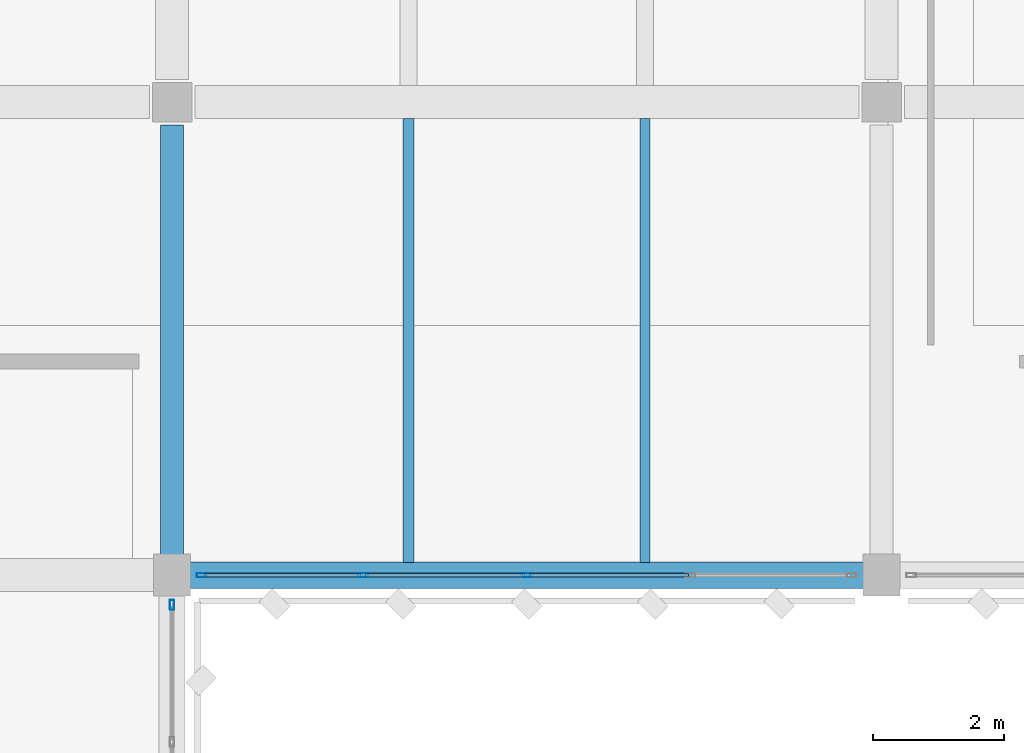
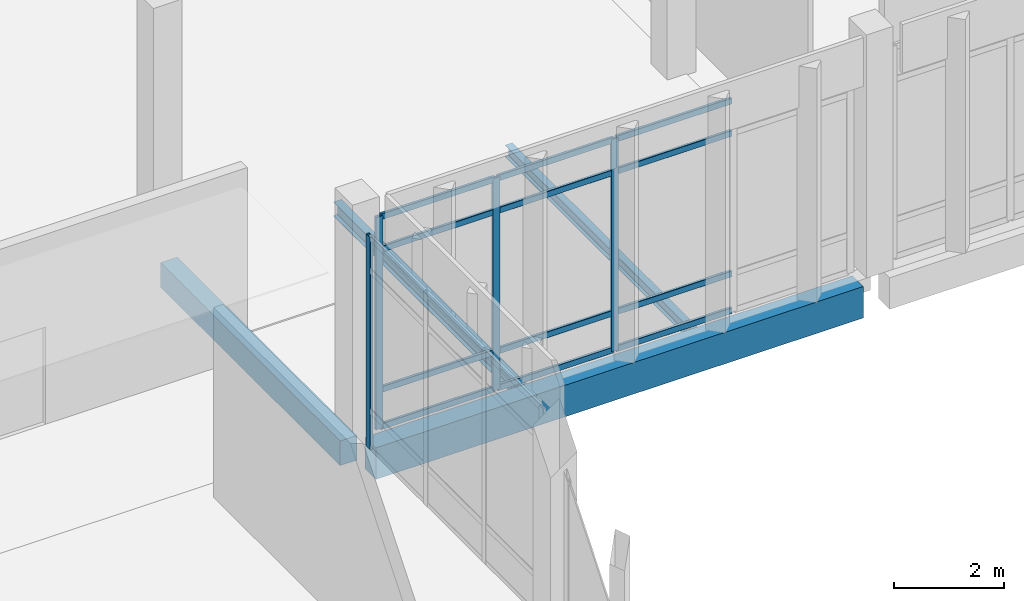
# One storey, part 68 of 180: 16 members, 4 beams, 2 elements without a shape of their own.
"""IFC4 building model written with IfcOpenShell, lengths in metres."""

import ifcopenshell
import ifcopenshell.guid

model = None  # the IFC model being written
_history = None  # IfcOwnerHistory: only IFC2X3 demands one
_inside = {}  # id of a spatial element -> (the spatial element, [elements in it])
_under = {}  # id of a project, library or spatial element -> (it, [spatial elements below it])
_declared = {}  # id of a project -> (the project, [libraries it declares])
_typed = {}  # id of a type object -> (the type object, [elements of that type])
_made_of = {}  # id of a material, layer set ... -> (it, [elements and type objects made of it])


def new_model(schema):
    """Start an empty IFC model of exactly this schema.

    Asked for "IFC4X3", IfcOpenShell would pick the latest addendum, in which some entities
    have other attributes; the version numbers below select the first issue.
    IFC2X3 requires an IfcOwnerHistory on every rooted entity: one is made here for all.
    """
    global model, _history
    if schema == "IFC4X3":
        model = ifcopenshell.file(schema_version=(4, 3, 0, 0))
    else:
        model = ifcopenshell.file(schema=schema)
    _inside.clear()
    _under.clear()
    _declared.clear()
    _typed.clear()
    _made_of.clear()
    _history = None
    if model.schema == "IFC2X3":
        org = make("IfcOrganization", Name="unknown")
        user = make(
            "IfcPersonAndOrganization",
            ThePerson=make("IfcPerson", FamilyName="unknown"),
            TheOrganization=org,
        )
        app = make(
            "IfcApplication",
            ApplicationDeveloper=org,
            Version="unknown",
            ApplicationFullName="unknown",
            ApplicationIdentifier="unknown",
        )
        _history = make(
            "IfcOwnerHistory",
            OwningUser=user,
            OwningApplication=app,
            ChangeAction="ADDED",
            CreationDate=0,
        )
    return model


def make(cls, **values):
    """One entity of the class cls with the attributes given. An attribute that is None is left unset."""
    return model.create_entity(
        cls, **{name: value for name, value in values.items() if value is not None}
    )


def rooted(cls, **values):
    """An entity with a GlobalId (a new one), such as an element, a storey or a relation."""
    return make(cls, GlobalId=ifcopenshell.guid.new(), OwnerHistory=_history, **values)


def si_unit(unit_type, name, prefix=None):
    """IfcSIUnit, for example si_unit("LENGTHUNIT", "METRE", prefix="MILLI")."""
    return make("IfcSIUnit", UnitType=unit_type, Prefix=prefix, Name=name)


def assignment(units):
    """IfcUnitAssignment: the units of a project."""
    return None if units is None else make("IfcUnitAssignment", Units=units)


def point(xyz):
    """IfcCartesianPoint."""
    return None if xyz is None else make("IfcCartesianPoint", Coordinates=xyz)


def direction(xyz):
    """IfcDirection."""
    return None if xyz is None else make("IfcDirection", DirectionRatios=xyz)


def frame(location, z_axis=None, x_axis=None):
    """IfcAxis2Placement3D, a coordinate frame: its origin and axes. An axis left out is left unset."""
    return make(
        "IfcAxis2Placement3D",
        Location=point(location),
        Axis=direction(z_axis),
        RefDirection=direction(x_axis),
    )


def frame_2d(location, x_axis=None):
    """IfcAxis2Placement2D, a coordinate frame in the plane: its origin and x axis."""
    return make(
        "IfcAxis2Placement2D", Location=point(location), RefDirection=direction(x_axis)
    )


def origin():
    """The frame at (0, 0, 0) with its axes left unset."""
    return frame((0.0, 0.0, 0.0))


def origin_2d():
    """The frame at (0, 0) in the plane with its x axis left unset."""
    return frame_2d((0.0, 0.0))


def place(relative_to, where):
    """IfcLocalPlacement: puts the frame where relative to a parent placement (None: the world)."""
    return make(
        "IfcLocalPlacement", PlacementRelTo=relative_to, RelativePlacement=where
    )


def context(
    kind, dimensions, precision=None, world=None, true_north=None, identifier=None
):
    """IfcGeometricRepresentationContext, for example the 3D "Model" context."""
    return make(
        "IfcGeometricRepresentationContext",
        ContextIdentifier=identifier,
        ContextType=kind,
        CoordinateSpaceDimension=dimensions,
        Precision=precision,
        WorldCoordinateSystem=world,
        TrueNorth=true_north,
    )


def subcontext(parent, identifier, kind, view, scale=None):
    """IfcGeometricRepresentationSubContext, for example "Body" below "Model"."""
    return make(
        "IfcGeometricRepresentationSubContext",
        ContextIdentifier=identifier,
        ContextType=kind,
        ParentContext=parent,
        TargetScale=scale,
        TargetView=view,
    )


def project(units=None, contexts=None):
    """IfcProject with its units and contexts."""
    return rooted(
        "IfcProject",
        Name="project",
        RepresentationContexts=contexts,
        UnitsInContext=assignment(units),
    )


def spatial(cls, under=None, at=None, **own):
    """A site, building, storey or space (cls), placed at a placement, below another one or the project."""
    s = rooted(cls, ObjectPlacement=at, **own)
    if under is not None:
        _under.setdefault(under.id(), (under, []))[1].append(s)
    return s


def profile(cls, at=None, kind="AREA", **sizes):
    """A parametric profile (cls). Its sizes go by their IFC names, for example OverallWidth=200.0."""
    return make(cls, ProfileType=kind, Position=at, **sizes)


def rectangle(**sizes):
    """IfcRectangleProfileDef."""
    return profile("IfcRectangleProfileDef", **sizes)


def hollow_rectangle(**sizes):
    """IfcRectangleHollowProfileDef."""
    return profile("IfcRectangleHollowProfileDef", **sizes)


def i_section(**sizes):
    """IfcIShapeProfileDef."""
    return profile("IfcIShapeProfileDef", **sizes)


def extrude(swept, where, along, depth):
    """IfcExtrudedAreaSolid: the profile swept, set in the frame where, extruded along a direction by depth."""
    return make(
        "IfcExtrudedAreaSolid",
        SweptArea=swept,
        Position=where,
        ExtrudedDirection=direction(along),
        Depth=depth,
    )


def shape(context_of_items, identifier, shape_type, items):
    """IfcShapeRepresentation: the items that make up one representation, for example the "Body"."""
    return make(
        "IfcShapeRepresentation",
        ContextOfItems=context_of_items,
        RepresentationIdentifier=identifier,
        RepresentationType=shape_type,
        Items=items,
    )


def material(Name=None, Category=None):
    """IfcMaterial."""
    return make("IfcMaterial", Name=Name, Category=Category)


def material_profile(
    of_material, cross_section, Name=None, Category=None, Priority=None
):
    """IfcMaterialProfile: a cross section and its material."""
    return make(
        "IfcMaterialProfile",
        Name=Name,
        Material=of_material,
        Profile=cross_section,
        Priority=Priority,
        Category=Category,
    )


def profile_set(profiles, Name=None, composite=None):
    """IfcMaterialProfileSet."""
    return make(
        "IfcMaterialProfileSet",
        Name=Name,
        MaterialProfiles=profiles,
        CompositeProfile=composite,
    )


def made_of(thing, what):
    """Note that an element or type object is made of a material, layer set ...; save() writes the relation."""
    if what is not None:
        _made_of.setdefault(what.id(), (what, []))[1].append(thing)
    return thing


def type_object(cls, material=None, **own):
    """A type object (cls), such as IfcWallType, which elements share."""
    return made_of(rooted(cls, **own), material)


def element(
    cls,
    number,
    at=None,
    inside=None,
    cuts=None,
    type_object=None,
    material=None,
    context=None,
    identifier="Body",
    shape_type=None,
    held_by="IfcProductDefinitionShape",
    body=None,
    shapes=None,
    **own,
):
    """One element of the class cls, such as IfcWall. Its Tag is "e" and its number.

    at: its placement. inside: the storey or other place that contains it. cuts: it is an
    opening in that element (IfcRelVoidsElement). A single representation is given by context,
    identifier, shape_type and body (its items); several are given by shapes. held_by: the class
    of the entity that holds the representations. save() writes the other relations.
    """
    e = rooted(cls, Tag="e%d" % number, ObjectPlacement=at, **own)
    if body is not None:
        shapes = [shape(context, identifier, shape_type, body)]
    if shapes is not None:
        e.Representation = make(held_by, Representations=shapes)
    if inside is not None:
        _inside.setdefault(inside.id(), (inside, []))[1].append(e)
    if cuts is not None:
        rooted(
            "IfcRelVoidsElement", RelatingBuildingElement=cuts, RelatedOpeningElement=e
        )
    if type_object is not None:
        _typed.setdefault(type_object.id(), (type_object, []))[1].append(e)
    return made_of(e, material)


def aggregate(whole, parts):
    """IfcRelAggregates: a whole, such as a stair, and the parts it consists of."""
    return rooted("IfcRelAggregates", RelatingObject=whole, RelatedObjects=parts)


def save(model, path):
    """Write the relations noted so far, then the file.

    IfcRelAggregates (storeys below a building ...), IfcRelContainedInSpatialStructure (elements
    in a storey), IfcRelDefinesByType, IfcRelAssociatesMaterial and IfcRelDeclares: one each for
    every whole, place, type object, material and project.
    """
    for whole, parts in _under.values():
        aggregate(whole, parts)
    for where, things in _inside.values():
        rooted(
            "IfcRelContainedInSpatialStructure",
            RelatedElements=things,
            RelatingStructure=where,
        )
    for kind, things in _typed.values():
        rooted("IfcRelDefinesByType", RelatedObjects=things, RelatingType=kind)
    for what, things in _made_of.values():
        rooted("IfcRelAssociatesMaterial", RelatedObjects=things, RelatingMaterial=what)
    for by, libraries in _declared.values():
        rooted("IfcRelDeclares", RelatingContext=by, RelatedDefinitions=libraries)
    model.write(path)


model = new_model("IFC4")

# Units and contexts
model_context = context("Model", 3, precision=1e-05, world=origin(), true_north=direction((0.0, 1.0)))
body_context = subcontext(model_context, "Body", "Model", "MODEL_VIEW")
ifc_project = project(units=[si_unit("LENGTHUNIT", "METRE"), si_unit("AREAUNIT", "SQUARE_METRE"), si_unit("VOLUMEUNIT", "CUBIC_METRE"), si_unit("PLANEANGLEUNIT", "RADIAN"), si_unit("MASSUNIT", "GRAM", prefix="KILO")], contexts=[model_context])

# Site, building, storey
site_placement = place(None, origin())
site = spatial("IfcSite", under=ifc_project, at=site_placement, CompositionType="ELEMENT")
building_placement = place(site_placement, origin())
building = spatial("IfcBuilding", under=site, at=building_placement, Name="Lusvemor Sports Hall", CompositionType="ELEMENT")
storey_placement = place(building_placement, frame((0.0, 0.0, 5.39990234375)))
storey = spatial("IfcBuildingStorey", under=building, at=storey_placement, Name="L01", CompositionType="ELEMENT", Elevation=5.39990234375)

# Beam
ifc_material_1 = material(Name="Concrete C40/50", Category="concrete")
ifc_material_profile_1 = material_profile(ifc_material_1, rectangle(XDim=0.35009765625, YDim=0.550048828125, at=origin_2d()), Name="RC350x550")
ifc_profile_set_1 = profile_set([ifc_material_profile_1], Name="Concrete C40/50")
beam_type_1 = type_object("IfcBeamType", Name="BEAM_RC_550", PredefinedType="BEAM", material=ifc_profile_set_1)
beam_1_placement = place(storey_placement, frame((21.60009765625, 97.51611328125, -0.534912109375), z_axis=(0.0, 1.0, 0.0), x_axis=(-1.0, 0.0, 0.0)))
element("IfcBeam", 1, at=beam_1_placement, inside=storey, type_object=beam_type_1, Name="Beam L01 3:N-P", PredefinedType="BEAM", context=body_context, shape_type="SweptSolid", body=[
    extrude(rectangle(XDim=0.35009765625, YDim=0.550048828125, at=origin_2d()), origin(), (0.0, 0.0, 1.0), 6.537841796875),
])

# Curtain wall, members
ifc_material_2 = material(Name="Thermally broken bronze-anodized aluminium", Category="aluminium")
curtain_wall_type = type_object("IfcCurtainWallType", Name="CW_WING_B", PredefinedType="NOTDEFINED", material=ifc_material_2)
curtain_wall_1_placement = place(storey_placement, origin())
curtain_wall_1 = element("IfcCurtainWall", 2, at=curtain_wall_1_placement, inside=storey, type_object=curtain_wall_type, Name="Curtain Wall CW-L01-S-3-0", PredefinedType="NOTDEFINED")
ifc_material_3 = material(Name="Thermally broken bronze-anodized aluminium", Category="aluminium")
ifc_material_profile_2 = material_profile(ifc_material_3, hollow_rectangle(XDim=0.06494140625, YDim=0.14990234375, WallThickness=0.00390625, InnerFilletRadius=0.00390625, OuterFilletRadius=0.008056640625, at=origin_2d()), Name="CWMUL150x65x4")
ifc_profile_set_2 = profile_set([ifc_material_profile_2], Name="Thermally broken bronze-anodized aluminium")
member_type_1 = type_object("IfcMemberType", Name="CW_MUL_B", PredefinedType="MULLION", material=ifc_profile_set_2)
member_1_placement = place(storey_placement, frame((27.0, 97.199951171875, 0.0), z_axis=(0.0, 0.0, 1.0), x_axis=(0.0, -1.0, 0.0)))
member_1 = element("IfcMember", 3, at=member_1_placement, type_object=member_type_1, Name="CW02 mullion 3", PredefinedType="MULLION", context=body_context, shape_type="SweptSolid", body=[
    extrude(hollow_rectangle(XDim=0.06494140625, YDim=0.14990234375, WallThickness=0.00390625, InnerFilletRadius=0.00390625, OuterFilletRadius=0.008056640625, at=origin_2d()), origin(), (0.0, 0.0, 1.0), 4.72021484375),
])
member_2_placement = place(storey_placement, frame((24.510009765625, 97.199951171875, 0.0), z_axis=(0.0, 0.0, 1.0), x_axis=(0.0, -1.0, 0.0)))
member_2 = element("IfcMember", 4, at=member_2_placement, type_object=member_type_1, Name="CW02 mullion 4", PredefinedType="MULLION", context=body_context, shape_type="SweptSolid", body=[
    extrude(hollow_rectangle(XDim=0.06494140625, YDim=0.14990234375, WallThickness=0.00390625, InnerFilletRadius=0.00390625, OuterFilletRadius=0.008056640625, at=origin_2d()), origin(), (0.0, 0.0, 1.0), 4.72021484375),
])
member_3_placement = place(storey_placement, frame((22.052490234375, 97.199951171875, 0.0), z_axis=(0.0, 0.0, 1.0), x_axis=(0.0, -1.0, 0.0)))
member_3 = element("IfcMember", 5, at=member_3_placement, type_object=member_type_1, Name="CW02 mullion 5", PredefinedType="MULLION", context=body_context, shape_type="SweptSolid", body=[
    extrude(hollow_rectangle(XDim=0.06494140625, YDim=0.14990234375, WallThickness=0.00390625, InnerFilletRadius=0.00390625, OuterFilletRadius=0.008056640625, at=origin_2d()), origin(), (0.0, 0.0, 1.0), 4.72021484375),
])

# Curtain wall, member
curtain_wall_2_placement = place(storey_placement, origin())
curtain_wall_2 = element("IfcCurtainWall", 6, at=curtain_wall_2_placement, inside=storey, type_object=curtain_wall_type, Name="Curtain Wall CW-L01-E-4-6", PredefinedType="NOTDEFINED")
member_4_placement = place(storey_placement, frame((21.60009765625, 96.74755859375, 0.0), z_axis=(0.0, 0.0, 1.0), x_axis=(1.0, 0.0, 0.0)))
member_4 = element("IfcMember", 7, at=member_4_placement, type_object=member_type_1, Name="CW02 mullion 1", PredefinedType="MULLION", context=body_context, shape_type="SweptSolid", body=[
    extrude(hollow_rectangle(XDim=0.06494140625, YDim=0.14990234375, WallThickness=0.00390625, InnerFilletRadius=0.00390625, OuterFilletRadius=0.008056640625, at=origin_2d()), origin(), (0.0, 0.0, 1.0), 4.72021484375),
])
aggregate(curtain_wall_2, [member_4])

# Member
ifc_material_4 = material(Name="Thermally broken bronze-anodized aluminium", Category="aluminium")
ifc_material_profile_3 = material_profile(ifc_material_4, hollow_rectangle(XDim=0.06005859375, YDim=0.135009765625, WallThickness=0.00390625, InnerFilletRadius=0.00390625, OuterFilletRadius=0.008056640625, at=origin_2d()), Name="CWTRN135x60x4")
ifc_profile_set_3 = profile_set([ifc_material_profile_3], Name="Thermally broken bronze-anodized aluminium")
member_type_2 = type_object("IfcMemberType", Name="CW_TRN_B", PredefinedType="USERDEFINED", material=ifc_profile_set_3)
member_5_placement = place(storey_placement, frame((29.45751953125, 97.199951171875, 0.030029296875), z_axis=(-1.0, 0.0, 0.0), x_axis=(0.0, -1.0, 0.0)))
member_5 = element("IfcMember", 8, at=member_5_placement, type_object=member_type_2, Name="CW02 transom 2.1", ObjectType="TRANSOM", PredefinedType="USERDEFINED", context=body_context, shape_type="SweptSolid", body=[
    extrude(hollow_rectangle(XDim=0.06005859375, YDim=0.135009765625, WallThickness=0.00390625, InnerFilletRadius=0.00390625, OuterFilletRadius=0.008056640625, at=origin_2d()), origin(), (0.0, 0.0, 1.0), 2.425048828125),
])

member_6_placement = place(storey_placement, frame((29.45751953125, 97.199951171875, 0.85009765625), z_axis=(-1.0, 0.0, 0.0), x_axis=(0.0, -1.0, 0.0)))
member_6 = element("IfcMember", 9, at=member_6_placement, type_object=member_type_2, Name="CW02 transom 2.2", ObjectType="TRANSOM", PredefinedType="USERDEFINED", context=body_context, shape_type="SweptSolid", body=[
    extrude(hollow_rectangle(XDim=0.06005859375, YDim=0.135009765625, WallThickness=0.00390625, InnerFilletRadius=0.00390625, OuterFilletRadius=0.008056640625, at=origin_2d()), origin(), (0.0, 0.0, 1.0), 2.425048828125),
])

member_7_placement = place(storey_placement, frame((29.45751953125, 97.199951171875, 3.97021484375), z_axis=(-1.0, 0.0, 0.0), x_axis=(0.0, -1.0, 0.0)))
member_7 = element("IfcMember", 10, at=member_7_placement, type_object=member_type_2, Name="CW02 transom 2.3", ObjectType="TRANSOM", PredefinedType="USERDEFINED", context=body_context, shape_type="SweptSolid", body=[
    extrude(hollow_rectangle(XDim=0.06005859375, YDim=0.135009765625, WallThickness=0.00390625, InnerFilletRadius=0.00390625, OuterFilletRadius=0.008056640625, at=origin_2d()), origin(), (0.0, 0.0, 1.0), 2.425048828125),
])

member_8_placement = place(storey_placement, frame((29.45751953125, 97.199951171875, 4.690185546875), z_axis=(-1.0, 0.0, 0.0), x_axis=(0.0, -1.0, 0.0)))
member_8 = element("IfcMember", 11, at=member_8_placement, type_object=member_type_2, Name="CW02 transom 2.4", ObjectType="TRANSOM", PredefinedType="USERDEFINED", context=body_context, shape_type="SweptSolid", body=[
    extrude(hollow_rectangle(XDim=0.06005859375, YDim=0.135009765625, WallThickness=0.00390625, InnerFilletRadius=0.00390625, OuterFilletRadius=0.008056640625, at=origin_2d()), origin(), (0.0, 0.0, 1.0), 2.425048828125),
])

member_9_placement = place(storey_placement, frame((26.967529296875, 97.199951171875, 0.030029296875), z_axis=(-1.0, 0.0, 0.0), x_axis=(0.0, -1.0, 0.0)))
member_9 = element("IfcMember", 12, at=member_9_placement, type_object=member_type_2, Name="CW02 transom 3.1", ObjectType="TRANSOM", PredefinedType="USERDEFINED", context=body_context, shape_type="SweptSolid", body=[
    extrude(hollow_rectangle(XDim=0.06005859375, YDim=0.135009765625, WallThickness=0.00390625, InnerFilletRadius=0.00390625, OuterFilletRadius=0.008056640625, at=origin_2d()), origin(), (0.0, 0.0, 1.0), 2.425048828125),
])

member_10_placement = place(storey_placement, frame((26.967529296875, 97.199951171875, 0.85009765625), z_axis=(-1.0, 0.0, 0.0), x_axis=(0.0, -1.0, 0.0)))
member_10 = element("IfcMember", 13, at=member_10_placement, type_object=member_type_2, Name="CW02 transom 3.2", ObjectType="TRANSOM", PredefinedType="USERDEFINED", context=body_context, shape_type="SweptSolid", body=[
    extrude(hollow_rectangle(XDim=0.06005859375, YDim=0.135009765625, WallThickness=0.00390625, InnerFilletRadius=0.00390625, OuterFilletRadius=0.008056640625, at=origin_2d()), origin(), (0.0, 0.0, 1.0), 2.425048828125),
])

member_11_placement = place(storey_placement, frame((26.967529296875, 97.199951171875, 3.97021484375), z_axis=(-1.0, 0.0, 0.0), x_axis=(0.0, -1.0, 0.0)))
member_11 = element("IfcMember", 14, at=member_11_placement, type_object=member_type_2, Name="CW02 transom 3.3", ObjectType="TRANSOM", PredefinedType="USERDEFINED", context=body_context, shape_type="SweptSolid", body=[
    extrude(hollow_rectangle(XDim=0.06005859375, YDim=0.135009765625, WallThickness=0.00390625, InnerFilletRadius=0.00390625, OuterFilletRadius=0.008056640625, at=origin_2d()), origin(), (0.0, 0.0, 1.0), 2.425048828125),
])

member_12_placement = place(storey_placement, frame((26.967529296875, 97.199951171875, 4.690185546875), z_axis=(-1.0, 0.0, 0.0), x_axis=(0.0, -1.0, 0.0)))
member_12 = element("IfcMember", 15, at=member_12_placement, type_object=member_type_2, Name="CW02 transom 3.4", ObjectType="TRANSOM", PredefinedType="USERDEFINED", context=body_context, shape_type="SweptSolid", body=[
    extrude(hollow_rectangle(XDim=0.06005859375, YDim=0.135009765625, WallThickness=0.00390625, InnerFilletRadius=0.00390625, OuterFilletRadius=0.008056640625, at=origin_2d()), origin(), (0.0, 0.0, 1.0), 2.425048828125),
])

member_13_placement = place(storey_placement, frame((24.4775390625, 97.199951171875, 0.030029296875), z_axis=(-1.0, 0.0, 0.0), x_axis=(0.0, -1.0, 0.0)))
member_13 = element("IfcMember", 16, at=member_13_placement, type_object=member_type_2, Name="CW02 transom 4.1", ObjectType="TRANSOM", PredefinedType="USERDEFINED", context=body_context, shape_type="SweptSolid", body=[
    extrude(hollow_rectangle(XDim=0.06005859375, YDim=0.135009765625, WallThickness=0.00390625, InnerFilletRadius=0.00390625, OuterFilletRadius=0.008056640625, at=origin_2d()), origin(), (0.0, 0.0, 1.0), 2.392578125),
])

member_14_placement = place(storey_placement, frame((24.4775390625, 97.199951171875, 0.85009765625), z_axis=(-1.0, 0.0, 0.0), x_axis=(0.0, -1.0, 0.0)))
member_14 = element("IfcMember", 17, at=member_14_placement, type_object=member_type_2, Name="CW02 transom 4.2", ObjectType="TRANSOM", PredefinedType="USERDEFINED", context=body_context, shape_type="SweptSolid", body=[
    extrude(hollow_rectangle(XDim=0.06005859375, YDim=0.135009765625, WallThickness=0.00390625, InnerFilletRadius=0.00390625, OuterFilletRadius=0.008056640625, at=origin_2d()), origin(), (0.0, 0.0, 1.0), 2.392578125),
])

member_15_placement = place(storey_placement, frame((24.4775390625, 97.199951171875, 3.97021484375), z_axis=(-1.0, 0.0, 0.0), x_axis=(0.0, -1.0, 0.0)))
member_15 = element("IfcMember", 18, at=member_15_placement, type_object=member_type_2, Name="CW02 transom 4.3", ObjectType="TRANSOM", PredefinedType="USERDEFINED", context=body_context, shape_type="SweptSolid", body=[
    extrude(hollow_rectangle(XDim=0.06005859375, YDim=0.135009765625, WallThickness=0.00390625, InnerFilletRadius=0.00390625, OuterFilletRadius=0.008056640625, at=origin_2d()), origin(), (0.0, 0.0, 1.0), 2.392578125),
])

member_16_placement = place(storey_placement, frame((24.4775390625, 97.199951171875, 4.690185546875), z_axis=(-1.0, 0.0, 0.0), x_axis=(0.0, -1.0, 0.0)))
member_16 = element("IfcMember", 19, at=member_16_placement, type_object=member_type_2, Name="CW02 transom 4.4", ObjectType="TRANSOM", PredefinedType="USERDEFINED", context=body_context, shape_type="SweptSolid", body=[
    extrude(hollow_rectangle(XDim=0.06005859375, YDim=0.135009765625, WallThickness=0.00390625, InnerFilletRadius=0.00390625, OuterFilletRadius=0.008056640625, at=origin_2d()), origin(), (0.0, 0.0, 1.0), 2.392578125),
])

aggregate(curtain_wall_1, [member_1, member_2, member_3, member_5, member_6, member_7, member_8, member_9, member_10, member_11, member_12, member_13, member_14, member_15, member_16])

# Beams
ifc_material_5 = material(Name="Steel S355", Category="steel")
ifc_material_profile_4 = material_profile(ifc_material_5, i_section(OverallWidth=0.14794921875, OverallDepth=0.26611328125, WebThickness=0.007568359375, FlangeThickness=0.012939453125, FilletRadius=0.012939453125, at=origin_2d()), Name="W250x44.8")
ifc_profile_set_4 = profile_set([ifc_material_profile_4], Name="Steel S355")
beam_type_2 = type_object("IfcBeamType", Name="JOIST_ST_250M", PredefinedType="JOIST", material=ifc_profile_set_4)
beam_2_placement = place(storey_placement, frame((28.800048828125, 97.39599609375, -0.39697265625), z_axis=(0.0, 1.0, 0.0), x_axis=(-1.0, 0.0, 0.0)))
element("IfcBeam", 20, at=beam_2_placement, inside=storey, type_object=beam_type_2, Name="Secondary Joist L01 3-4/N-P #2", PredefinedType="JOIST", context=body_context, shape_type="SweptSolid", body=[
    extrude(i_section(OverallWidth=0.14794921875, OverallDepth=0.26611328125, WebThickness=0.007568359375, FlangeThickness=0.012939453125, FilletRadius=0.012939453125, at=origin_2d()), origin(), (0.0, 0.0, 1.0), 6.758056640625),
])
ifc_material_6 = material(Name="Steel S355", Category="steel")
ifc_material_profile_5 = material_profile(ifc_material_6, i_section(OverallWidth=0.1669921875, OverallDepth=0.31689453125, WebThickness=0.007568359375, FlangeThickness=0.01318359375, FilletRadius=0.014892578125, at=origin_2d()), Name="W310x52.0")
ifc_profile_set_5 = profile_set([ifc_material_profile_5], Name="Steel S355")
beam_type_3 = type_object("IfcBeamType", Name="JOIST_ST_310M", PredefinedType="JOIST", material=ifc_profile_set_5)
beam_3_placement = place(storey_placement, frame((25.199951171875, 97.39599609375, -0.42236328125), z_axis=(0.0, 1.0, 0.0), x_axis=(-1.0, 0.0, 0.0)))
element("IfcBeam", 21, at=beam_3_placement, inside=storey, type_object=beam_type_3, Name="Secondary Joist L01 3-4/N-P #1", PredefinedType="JOIST", context=body_context, shape_type="SweptSolid", body=[
    extrude(i_section(OverallWidth=0.1669921875, OverallDepth=0.31689453125, WebThickness=0.007568359375, FlangeThickness=0.01318359375, FilletRadius=0.014892578125, at=origin_2d()), origin(), (0.0, 0.0, 1.0), 6.758056640625),
])
ifc_material_7 = material(Name="Concrete C40/50", Category="concrete")
ifc_material_profile_6 = material_profile(ifc_material_7, rectangle(XDim=0.39990234375, YDim=0.699951171875, at=origin_2d()), Name="RC400x700")
ifc_profile_set_6 = profile_set([ifc_material_profile_6], Name="Concrete C40/50")
beam_type_4 = type_object("IfcBeamType", Name="SPAND_EXT_700", PredefinedType="SPANDREL", material=ifc_profile_set_6)
beam_4_placement = place(storey_placement, frame((21.8759765625, 97.199951171875, -0.60986328125), z_axis=(1.0, 0.0, 0.0), x_axis=(0.0, 1.0, 0.0)))
element("IfcBeam", 22, at=beam_4_placement, inside=storey, type_object=beam_type_4, Name="Beam L01 N:3-4", PredefinedType="SPANDREL", context=body_context, shape_type="SweptSolid", body=[
    extrude(rectangle(XDim=0.39990234375, YDim=0.699951171875, at=origin_2d()), origin(), (0.0, 0.0, 1.0), 10.248046875),
])

save(model, "model.ifc")
